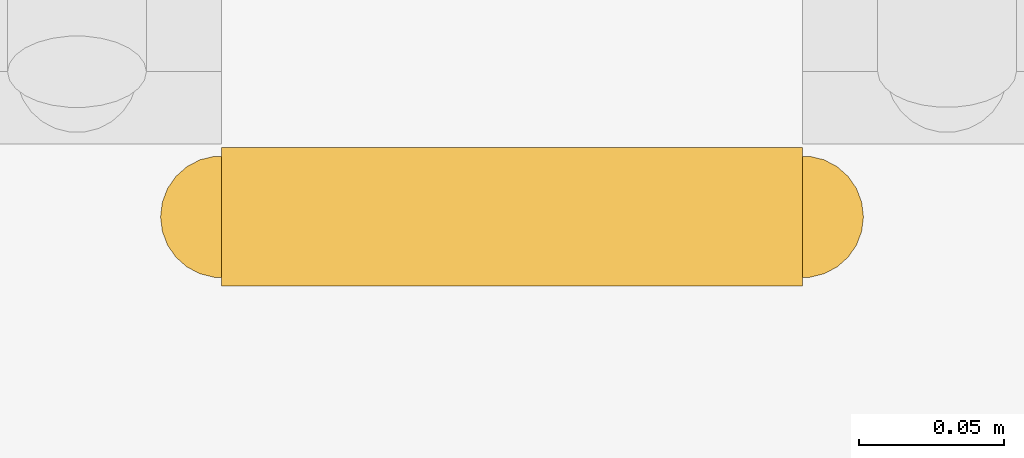
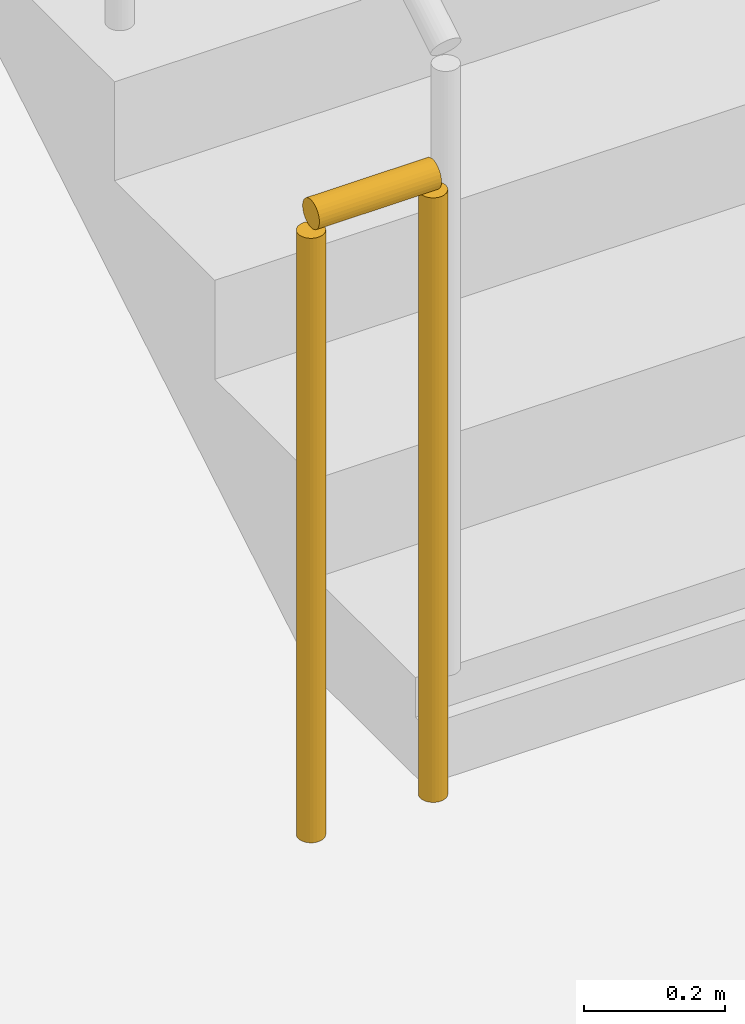
# One storey, part 40 of 67: 1 railing.
"""IFC4 building model written with IfcOpenShell, lengths in metres."""

import ifcopenshell
import ifcopenshell.guid

model = None  # the IFC model being written
_history = None  # IfcOwnerHistory: only IFC2X3 demands one
_inside = {}  # id of a spatial element -> (the spatial element, [elements in it])
_under = {}  # id of a project, library or spatial element -> (it, [spatial elements below it])
_declared = {}  # id of a project -> (the project, [libraries it declares])
_typed = {}  # id of a type object -> (the type object, [elements of that type])
_made_of = {}  # id of a material, layer set ... -> (it, [elements and type objects made of it])


def new_model(schema):
    """Start an empty IFC model of exactly this schema.

    Asked for "IFC4X3", IfcOpenShell would pick the latest addendum, in which some entities
    have other attributes; the version numbers below select the first issue.
    IFC2X3 requires an IfcOwnerHistory on every rooted entity: one is made here for all.
    """
    global model, _history
    if schema == "IFC4X3":
        model = ifcopenshell.file(schema_version=(4, 3, 0, 0))
    else:
        model = ifcopenshell.file(schema=schema)
    _inside.clear()
    _under.clear()
    _declared.clear()
    _typed.clear()
    _made_of.clear()
    _history = None
    if model.schema == "IFC2X3":
        org = make("IfcOrganization", Name="unknown")
        user = make(
            "IfcPersonAndOrganization",
            ThePerson=make("IfcPerson", FamilyName="unknown"),
            TheOrganization=org,
        )
        app = make(
            "IfcApplication",
            ApplicationDeveloper=org,
            Version="unknown",
            ApplicationFullName="unknown",
            ApplicationIdentifier="unknown",
        )
        _history = make(
            "IfcOwnerHistory",
            OwningUser=user,
            OwningApplication=app,
            ChangeAction="ADDED",
            CreationDate=0,
        )
    return model


def make(cls, **values):
    """One entity of the class cls with the attributes given. An attribute that is None is left unset."""
    return model.create_entity(
        cls, **{name: value for name, value in values.items() if value is not None}
    )


def rooted(cls, **values):
    """An entity with a GlobalId (a new one), such as an element, a storey or a relation."""
    return make(cls, GlobalId=ifcopenshell.guid.new(), OwnerHistory=_history, **values)


def si_unit(unit_type, name, prefix=None):
    """IfcSIUnit, for example si_unit("LENGTHUNIT", "METRE", prefix="MILLI")."""
    return make("IfcSIUnit", UnitType=unit_type, Prefix=prefix, Name=name)


def assignment(units):
    """IfcUnitAssignment: the units of a project."""
    return None if units is None else make("IfcUnitAssignment", Units=units)


def point(xyz):
    """IfcCartesianPoint."""
    return None if xyz is None else make("IfcCartesianPoint", Coordinates=xyz)


def direction(xyz):
    """IfcDirection."""
    return None if xyz is None else make("IfcDirection", DirectionRatios=xyz)


def frame(location, z_axis=None, x_axis=None):
    """IfcAxis2Placement3D, a coordinate frame: its origin and axes. An axis left out is left unset."""
    return make(
        "IfcAxis2Placement3D",
        Location=point(location),
        Axis=direction(z_axis),
        RefDirection=direction(x_axis),
    )


def frame_2d(location, x_axis=None):
    """IfcAxis2Placement2D, a coordinate frame in the plane: its origin and x axis."""
    return make(
        "IfcAxis2Placement2D", Location=point(location), RefDirection=direction(x_axis)
    )


def origin():
    """The frame at (0, 0, 0) with its axes left unset."""
    return frame((0.0, 0.0, 0.0))


def origin_2d():
    """The frame at (0, 0) in the plane with its x axis left unset."""
    return frame_2d((0.0, 0.0))


def place(relative_to, where):
    """IfcLocalPlacement: puts the frame where relative to a parent placement (None: the world)."""
    return make(
        "IfcLocalPlacement", PlacementRelTo=relative_to, RelativePlacement=where
    )


def context(
    kind, dimensions, precision=None, world=None, true_north=None, identifier=None
):
    """IfcGeometricRepresentationContext, for example the 3D "Model" context."""
    return make(
        "IfcGeometricRepresentationContext",
        ContextIdentifier=identifier,
        ContextType=kind,
        CoordinateSpaceDimension=dimensions,
        Precision=precision,
        WorldCoordinateSystem=world,
        TrueNorth=true_north,
    )


def subcontext(parent, identifier, kind, view, scale=None):
    """IfcGeometricRepresentationSubContext, for example "Body" below "Model"."""
    return make(
        "IfcGeometricRepresentationSubContext",
        ContextIdentifier=identifier,
        ContextType=kind,
        ParentContext=parent,
        TargetScale=scale,
        TargetView=view,
    )


def project(units=None, contexts=None):
    """IfcProject with its units and contexts."""
    return rooted(
        "IfcProject",
        Name="project",
        RepresentationContexts=contexts,
        UnitsInContext=assignment(units),
    )


def spatial(cls, under=None, at=None, **own):
    """A site, building, storey or space (cls), placed at a placement, below another one or the project."""
    s = rooted(cls, ObjectPlacement=at, **own)
    if under is not None:
        _under.setdefault(under.id(), (under, []))[1].append(s)
    return s


def profile(cls, at=None, kind="AREA", **sizes):
    """A parametric profile (cls). Its sizes go by their IFC names, for example OverallWidth=200.0."""
    return make(cls, ProfileType=kind, Position=at, **sizes)


def circle(**sizes):
    """IfcCircleProfileDef."""
    return profile("IfcCircleProfileDef", **sizes)


def extrude(swept, where, along, depth):
    """IfcExtrudedAreaSolid: the profile swept, set in the frame where, extruded along a direction by depth."""
    return make(
        "IfcExtrudedAreaSolid",
        SweptArea=swept,
        Position=where,
        ExtrudedDirection=direction(along),
        Depth=depth,
    )


def shape(context_of_items, identifier, shape_type, items):
    """IfcShapeRepresentation: the items that make up one representation, for example the "Body"."""
    return make(
        "IfcShapeRepresentation",
        ContextOfItems=context_of_items,
        RepresentationIdentifier=identifier,
        RepresentationType=shape_type,
        Items=items,
    )


def material(Name=None, Category=None):
    """IfcMaterial."""
    return make("IfcMaterial", Name=Name, Category=Category)


def made_of(thing, what):
    """Note that an element or type object is made of a material, layer set ...; save() writes the relation."""
    if what is not None:
        _made_of.setdefault(what.id(), (what, []))[1].append(thing)
    return thing


def type_object(cls, material=None, **own):
    """A type object (cls), such as IfcWallType, which elements share."""
    return made_of(rooted(cls, **own), material)


def element(
    cls,
    number,
    at=None,
    inside=None,
    cuts=None,
    type_object=None,
    material=None,
    context=None,
    identifier="Body",
    shape_type=None,
    held_by="IfcProductDefinitionShape",
    body=None,
    shapes=None,
    **own,
):
    """One element of the class cls, such as IfcWall. Its Tag is "e" and its number.

    at: its placement. inside: the storey or other place that contains it. cuts: it is an
    opening in that element (IfcRelVoidsElement). A single representation is given by context,
    identifier, shape_type and body (its items); several are given by shapes. held_by: the class
    of the entity that holds the representations. save() writes the other relations.
    """
    e = rooted(cls, Tag="e%d" % number, ObjectPlacement=at, **own)
    if body is not None:
        shapes = [shape(context, identifier, shape_type, body)]
    if shapes is not None:
        e.Representation = make(held_by, Representations=shapes)
    if inside is not None:
        _inside.setdefault(inside.id(), (inside, []))[1].append(e)
    if cuts is not None:
        rooted(
            "IfcRelVoidsElement", RelatingBuildingElement=cuts, RelatedOpeningElement=e
        )
    if type_object is not None:
        _typed.setdefault(type_object.id(), (type_object, []))[1].append(e)
    return made_of(e, material)


def aggregate(whole, parts):
    """IfcRelAggregates: a whole, such as a stair, and the parts it consists of."""
    return rooted("IfcRelAggregates", RelatingObject=whole, RelatedObjects=parts)


def save(model, path):
    """Write the relations noted so far, then the file.

    IfcRelAggregates (storeys below a building ...), IfcRelContainedInSpatialStructure (elements
    in a storey), IfcRelDefinesByType, IfcRelAssociatesMaterial and IfcRelDeclares: one each for
    every whole, place, type object, material and project.
    """
    for whole, parts in _under.values():
        aggregate(whole, parts)
    for where, things in _inside.values():
        rooted(
            "IfcRelContainedInSpatialStructure",
            RelatedElements=things,
            RelatingStructure=where,
        )
    for kind, things in _typed.values():
        rooted("IfcRelDefinesByType", RelatedObjects=things, RelatingType=kind)
    for what, things in _made_of.values():
        rooted("IfcRelAssociatesMaterial", RelatedObjects=things, RelatingMaterial=what)
    for by, libraries in _declared.values():
        rooted("IfcRelDeclares", RelatingContext=by, RelatedDefinitions=libraries)
    model.write(path)


model = new_model("IFC4")

# Units and contexts
model_context = context("Model", 3, precision=1e-05, world=origin(), true_north=direction((0.0, 1.0)))
body_context = subcontext(model_context, "Body", "Model", "MODEL_VIEW")
ifc_project = project(units=[si_unit("LENGTHUNIT", "METRE"), si_unit("AREAUNIT", "SQUARE_METRE"), si_unit("VOLUMEUNIT", "CUBIC_METRE"), si_unit("PLANEANGLEUNIT", "RADIAN"), si_unit("MASSUNIT", "GRAM", prefix="KILO")], contexts=[model_context])

# Site, building, storey
site_placement = place(None, origin())
site = spatial("IfcSite", under=ifc_project, at=site_placement, CompositionType="ELEMENT")
building_placement = place(site_placement, origin())
building = spatial("IfcBuilding", under=site, at=building_placement, Name="Caelomonte Colonnade Arena", CompositionType="ELEMENT")
storey_placement = place(building_placement, frame((0.0, 0.0, -4.800048828125)))
storey = spatial("IfcBuildingStorey", under=building, at=storey_placement, Name="B1", CompositionType="ELEMENT", Elevation=-4.800048828125)

# Railing
ifc_material = material(Name="Painted galvanized steel stair guard", Category="steel")
railing_type = type_object("IfcRailingType", Name="INT-RL-GRD", PredefinedType="GUARDRAIL", material=ifc_material)
railing_placement = place(storey_placement, frame((4.60009765625, 60.14990234375, 0.0)))
element("IfcRailing", 1, at=railing_placement, inside=storey, type_object=railing_type, Name="B1 ST-08 stair guard 4", PredefinedType="GUARDRAIL", context=body_context, shape_type="SweptSolid", body=[
    extrude(circle(Radius=0.02392578125, at=origin_2d()), frame((0.0, 0.0, 1.076171875), z_axis=(-1.0, 0.0, 0.0), x_axis=(0.0, -1.0, 0.0)), (0.0, 0.0, 1.0), 0.2001953125),
    extrude(circle(Radius=0.02099609375, at=origin_2d()), origin(), (0.0, 0.0, 1.0), 1.048095703125),
    extrude(circle(Radius=0.02099609375, at=origin_2d()), frame((-0.2001953125, 0.0, 0.0)), (0.0, 0.0, 1.0), 1.048095703125),
])

save(model, "model.ifc")
